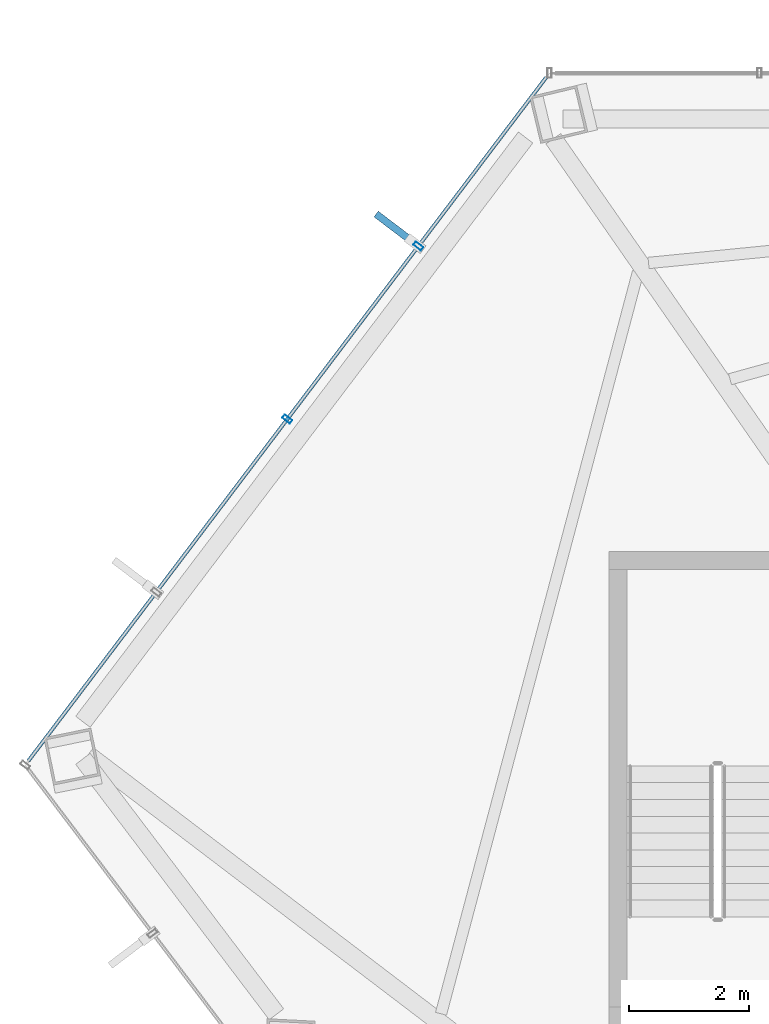
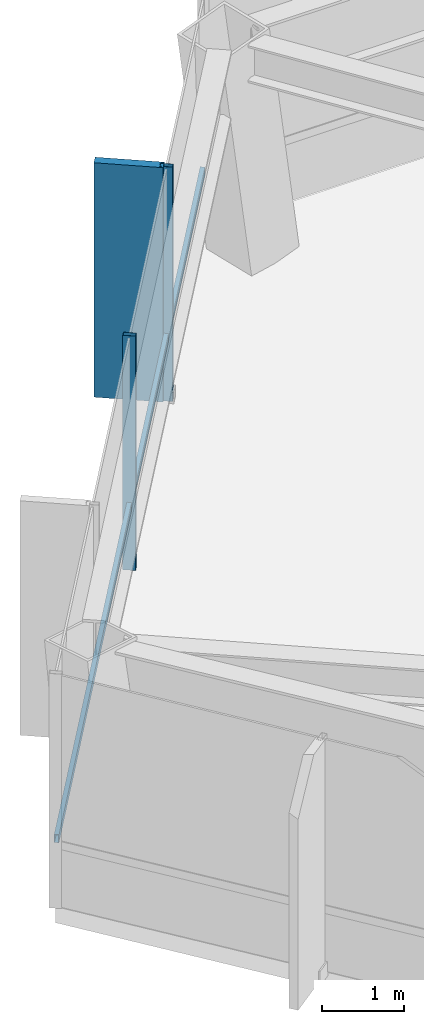
# One storey, part 12 of 28: 4 members, 1 element without a shape of its own.
"""IFC4 building model written with IfcOpenShell, lengths in metres."""

from ifc_helpers import new_model, si_unit, direction, frame, origin, origin_2d, place, context, subcontext, project, spatial, rectangle, hollow_rectangle, extrude, material, layer, layer_set, material_profile, profile_set, type_object, element, aggregate, save


model = new_model("IFC4")

# Units and contexts
model_context = context("Model", 3, precision=1e-05, world=origin(), true_north=direction((0.0, 1.0)))
body_context = subcontext(model_context, "Body", "Model", "MODEL_VIEW")
ifc_project = project(units=[si_unit("LENGTHUNIT", "METRE"), si_unit("AREAUNIT", "SQUARE_METRE"), si_unit("VOLUMEUNIT", "CUBIC_METRE"), si_unit("PLANEANGLEUNIT", "RADIAN"), si_unit("MASSUNIT", "GRAM", prefix="KILO")], contexts=[model_context])

# Site, building, storey
site_placement = place(None, origin())
site = spatial("IfcSite", under=ifc_project, at=site_placement, CompositionType="ELEMENT")
building_placement = place(site_placement, origin())
building = spatial("IfcBuilding", under=site, at=building_placement, Name="Zarrinselat Tower", CompositionType="ELEMENT")
storey_placement = place(building_placement, frame((0.0, 0.0, 153.340087890625)))
storey = spatial("IfcBuildingStorey", under=building, at=storey_placement, Name="L37", CompositionType="ELEMENT", Elevation=153.340087890625)

# Curtain wall, members
ifc_material_1 = material(Name="Extruded Aluminium Alloy EN AW-6063 T6", Category="aluminium")
ifc_layer = layer(ifc_material_1, 0.175048828125)
ifc_layer_set = layer_set([ifc_layer], Name="Extruded Aluminium Alloy EN AW-6063 T6")
curtain_wall_type = type_object("IfcCurtainWallType", Name="CWS-HTL", PredefinedType="NOTDEFINED", material=ifc_layer_set)
curtain_wall_placement = place(storey_placement, origin())
curtain_wall = element("IfcCurtainWall", 1, at=curtain_wall_placement, inside=storey, type_object=curtain_wall_type, Name="L37 Unitised Curtain Wall CW-L37-E02", PredefinedType="NOTDEFINED")
ifc_material_2 = material(Name="Extruded Aluminium Alloy EN AW-6063 T6", Category="aluminium")
ifc_material_profile_1 = material_profile(ifc_material_2, hollow_rectangle(XDim=0.070068359375, YDim=0.159912109375, WallThickness=0.00390625, at=origin_2d()), Name="RHS 160x70x4")
ifc_profile_set_1 = profile_set([ifc_material_profile_1], Name="Extruded Aluminium Alloy EN AW-6063 T6")
member_type_1 = type_object("IfcMemberType", Name="MEM-CW-MUL2", PredefinedType="MULLION", material=ifc_profile_set_1)
member_1_placement = place(storey_placement, frame((21.894287109375, 46.145751953125, 0.0), z_axis=(0.0, 0.0, 1.0), x_axis=(-0.603857687995, -0.797092148154, 0.0)))
member_1 = element("IfcMember", 2, at=member_1_placement, type_object=member_type_1, Name="CW-L37-E02 Mullion 1", PredefinedType="MULLION", context=body_context, shape_type="SweptSolid", body=[
    extrude(hollow_rectangle(XDim=0.070068359375, YDim=0.159912109375, WallThickness=0.00390625, at=origin_2d()), origin(), (0.0, 0.0, 1.0), 3.489990234375),
])
member_2_placement = place(storey_placement, frame((19.706787109375, 43.25830078125, 0.0), z_axis=(0.0, 0.0, 1.0), x_axis=(-0.603857687995, -0.797092148154, 0.0)))
member_2 = element("IfcMember", 3, at=member_2_placement, type_object=member_type_1, Name="CW-L37-E02 Mullion 2", PredefinedType="MULLION", context=body_context, shape_type="SweptSolid", body=[
    extrude(hollow_rectangle(XDim=0.070068359375, YDim=0.159912109375, WallThickness=0.00390625, at=origin_2d()), origin(), (0.0, 0.0, 1.0), 3.489990234375),
])
ifc_material_3 = material(Name="Extruded Aluminium Alloy EN AW-6063 T6", Category="aluminium")
ifc_material_profile_2 = material_profile(ifc_material_3, hollow_rectangle(XDim=0.06005859375, YDim=0.1201171875, WallThickness=0.00390625, at=origin_2d()), Name="RHS 120x60x4")
ifc_profile_set_2 = profile_set([ifc_material_profile_2], Name="Extruded Aluminium Alloy EN AW-6063 T6")
member_type_2 = type_object("IfcMemberType", Name="MEM-CW-TRN2", PredefinedType="USERDEFINED", material=ifc_profile_set_2)
member_3_placement = place(storey_placement, frame((24.027587890625, 48.961669921875, 0.949951171875), z_axis=(-0.603863600331, -0.797087669077, 0.0), x_axis=(0.797087669077, -0.603863600331, 0.0)))
member_3 = element("IfcMember", 4, at=member_3_placement, type_object=member_type_2, Name="CW-L37-E02 Transom 1", ObjectType="TRANSOM", PredefinedType="USERDEFINED", context=body_context, shape_type="SweptSolid", body=[
    extrude(hollow_rectangle(XDim=0.06005859375, YDim=0.1201171875, WallThickness=0.00390625, at=origin_2d()), origin(), (0.0, 0.0, 1.0), 14.310546875),
])
ifc_material_4 = material(Name="Honed Cream Travertine Stone", Category="masonry")
ifc_material_profile_3 = material_profile(ifc_material_4, rectangle(XDim=0.1201171875, YDim=0.85009765625, at=origin_2d()), Name="FIN 850x120")
ifc_profile_set_3 = profile_set([ifc_material_profile_3], Name="Honed Cream Travertine Stone")
member_type_3 = type_object("IfcMemberType", Name="MEM-STONE-FIN", PredefinedType="USERDEFINED", material=ifc_profile_set_3)
member_4_placement = place(storey_placement, frame((21.527587890625, 46.423583984375, 0.0), z_axis=(0.0, 0.0, 1.0), x_axis=(0.603857687995, 0.797092148154, 0.0)))
member_4 = element("IfcMember", 5, at=member_4_placement, type_object=member_type_3, Name="L37 Stone Shading Fin CW-L37-E02-01", ObjectType="FIN", PredefinedType="USERDEFINED", context=body_context, shape_type="SweptSolid", body=[
    extrude(rectangle(XDim=0.1201171875, YDim=0.85009765625, at=origin_2d()), origin(), (0.0, 0.0, 1.0), 3.489990234375),
])
aggregate(curtain_wall, [member_1, member_4, member_2, member_3])

save(model, "model.ifc")
